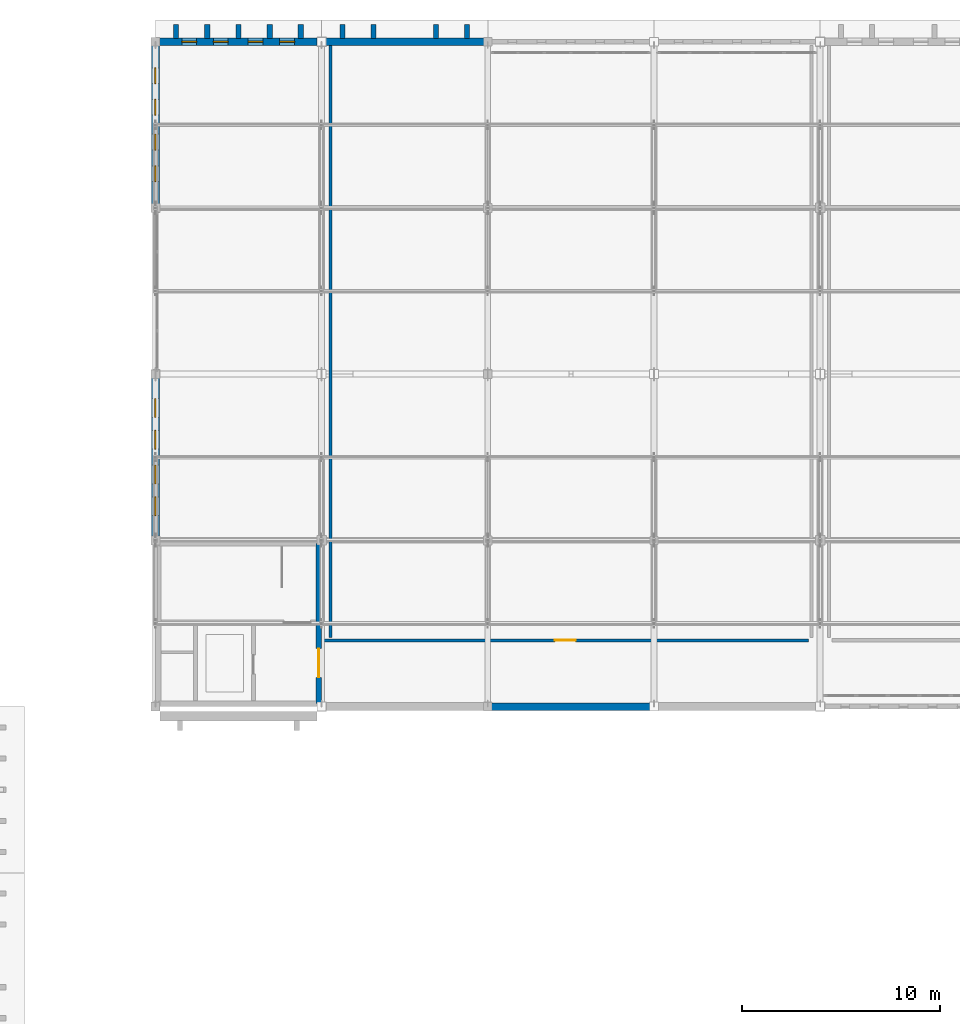
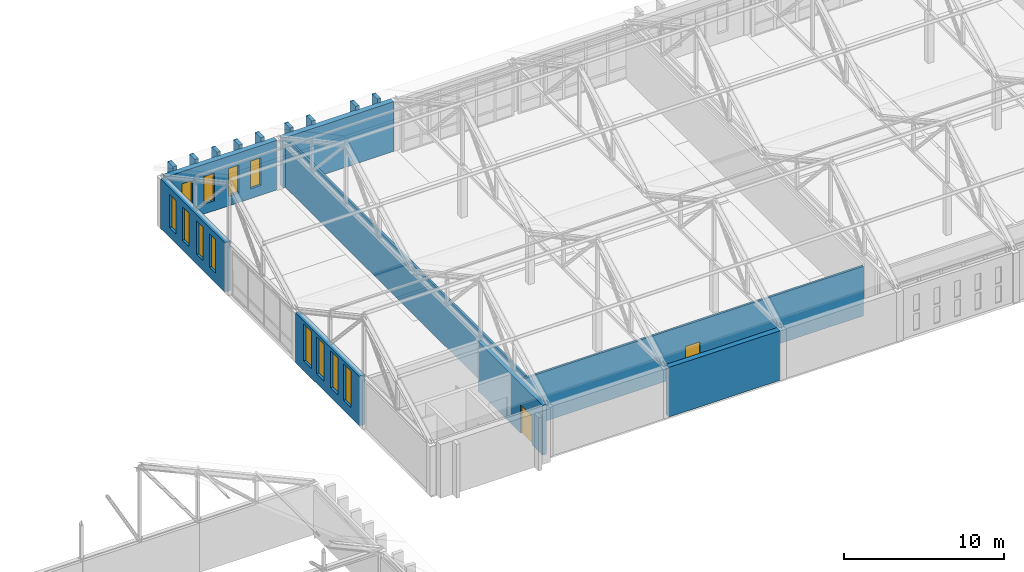
# One storey, part 89 of 110: 17 walls, 12 windows, 2 doors, 14 openings.
"""IFC4 building model written with IfcOpenShell, lengths in metres."""

from ifc_helpers import new_model, si_unit, direction, frame, frame_2d, origin, place, context, subcontext, project, spatial, rectangle, extrude, material, layer, layer_set, type_object, element, fill, save


model = new_model("IFC4")

# Units and contexts
model_context = context("Model", 3, precision=1e-05, world=origin(), true_north=direction((0.0, 1.0)))
body_context = subcontext(model_context, "Body", "Model", "MODEL_VIEW")
ifc_project = project(units=[si_unit("LENGTHUNIT", "METRE"), si_unit("AREAUNIT", "SQUARE_METRE"), si_unit("VOLUMEUNIT", "CUBIC_METRE"), si_unit("PLANEANGLEUNIT", "RADIAN"), si_unit("MASSUNIT", "GRAM", prefix="KILO")], contexts=[model_context])

# Site, building, storey
site_placement = place(None, origin())
site = spatial("IfcSite", under=ifc_project, at=site_placement, CompositionType="ELEMENT")
building_placement = place(site_placement, origin())
building = spatial("IfcBuilding", under=site, at=building_placement, Name="Kveldsbrygga Polytechnic", CompositionType="ELEMENT")
storey_placement = place(building_placement, frame((0.0, 0.0, 9.860107421875)))
storey = spatial("IfcBuildingStorey", under=building, at=storey_placement, Name="L02", CompositionType="ELEMENT", Elevation=9.860107421875)

# Wall, openings, windows
ifc_material_1 = material(Name="Fired clay brick masonry M10", Category="masonry")
ifc_layer_1 = layer(ifc_material_1, 0.3798828125)
ifc_layer_set_1 = layer_set([ifc_layer_1], Name="Fired clay brick masonry M10")
wall_type_1 = type_object("IfcWallType", Name="EW-BRICK-380", PredefinedType="SOLIDWALL", material=ifc_layer_set_1)
wall_1_placement = place(storey_placement, frame((42.195068359375, 117.60009765625, 0.0), z_axis=(0.0, 0.0, 1.0), x_axis=(1.0, 0.0, 0.0)))
wall_1 = element("IfcWall", 1, at=wall_1_placement, inside=storey, type_object=wall_type_1, Name="Exterior Brick Wall EW-L02-X-05-14", PredefinedType="SOLIDWALL", context=body_context, shape_type="SweptSolid", body=[
    extrude(rectangle(XDim=7.97998046875, YDim=0.3798828125, at=frame_2d((3.989990234375, 0.0))), origin(), (0.0, 0.0, 1.0), 3.77978515625),
])
opening_1_placement = place(wall_1_placement, frame((1.14111328125, 0.0, 0.75)))
opening_1 = element("IfcOpeningElement", 2, at=opening_1_placement, cuts=wall_1, Name="Opening W-27", PredefinedType="OPENING", context=body_context, shape_type="SweptSolid", body=[
    extrude(rectangle(XDim=0.75, YDim=2.10009765625, at=frame_2d((0.375, 1.050048828125))), frame((0.0, 0.199951171875, 0.0), z_axis=(0.0, -1.0, 0.0), x_axis=(1.0, 0.0, 0.0)), (0.0, 0.0, 1.0), 0.39990234375),
])
opening_2_placement = place(wall_1_placement, frame((2.7373046875, 0.0, 0.75)))
opening_2 = element("IfcOpeningElement", 3, at=opening_2_placement, cuts=wall_1, Name="Opening W-27", PredefinedType="OPENING", context=body_context, shape_type="SweptSolid", body=[
    extrude(rectangle(XDim=0.75, YDim=2.10009765625, at=frame_2d((0.375, 1.050048828125))), frame((0.0, 0.199951171875, 0.0), z_axis=(0.0, -1.0, 0.0), x_axis=(1.0, 0.0, 0.0)), (0.0, 0.0, 1.0), 0.39990234375),
])
opening_3_placement = place(wall_1_placement, frame((4.492919921875, 0.0, 0.75)))
opening_3 = element("IfcOpeningElement", 4, at=opening_3_placement, cuts=wall_1, Name="Opening W-27", PredefinedType="OPENING", context=body_context, shape_type="SweptSolid", body=[
    extrude(rectangle(XDim=0.75, YDim=2.10009765625, at=frame_2d((0.375, 1.050048828125))), frame((0.0, 0.199951171875, 0.0), z_axis=(0.0, -1.0, 0.0), x_axis=(1.0, 0.0, 0.0)), (0.0, 0.0, 1.0), 0.39990234375),
])
opening_4_placement = place(wall_1_placement, frame((6.0888671875, 0.0, 0.75)))
opening_4 = element("IfcOpeningElement", 5, at=opening_4_placement, cuts=wall_1, Name="Opening W-27", PredefinedType="OPENING", context=body_context, shape_type="SweptSolid", body=[
    extrude(rectangle(XDim=0.75, YDim=2.10009765625, at=frame_2d((0.375, 1.050048828125))), frame((0.0, 0.199951171875, 0.0), z_axis=(0.0, -1.0, 0.0), x_axis=(1.0, 0.0, 0.0)), (0.0, 0.0, 1.0), 0.39990234375),
])
ifc_material_2 = material(Name="Insulated triple low-E glass", Category="glass")
window_type_1 = type_object("IfcWindowType", Name="WN-ATTIC-075x210", PartitioningType="DOUBLE_PANEL_VERTICAL", PredefinedType="WINDOW", material=ifc_material_2)
window_1_placement = place(opening_1_placement, origin())
window_1 = element("IfcWindow", 6, at=window_1_placement, inside=storey, type_object=window_type_1, Name="Gothic Lancet Window WIN-L02-X-05-14-1", OverallHeight=2.10009765625, OverallWidth=0.75, PartitioningType="DOUBLE_PANEL_VERTICAL", PredefinedType="WINDOW", context=body_context, shape_type="SweptSolid", body=[
    extrude(rectangle(XDim=0.75, YDim=2.10009765625, at=frame_2d((0.375, 1.050048828125))), frame((0.0, 0.030029296875, 0.0), z_axis=(0.0, -1.0, 0.0), x_axis=(1.0, 0.0, 0.0)), (0.0, 0.0, 1.0), 0.06005859375),
])
fill(opening_1, window_1)
window_2_placement = place(opening_2_placement, origin())
window_2 = element("IfcWindow", 7, at=window_2_placement, inside=storey, type_object=window_type_1, Name="Gothic Lancet Window WIN-L02-X-05-14-2", OverallHeight=2.10009765625, OverallWidth=0.75, PartitioningType="DOUBLE_PANEL_VERTICAL", PredefinedType="WINDOW", context=body_context, shape_type="SweptSolid", body=[
    extrude(rectangle(XDim=0.75, YDim=2.10009765625, at=frame_2d((0.375, 1.050048828125))), frame((0.0, 0.030029296875, 0.0), z_axis=(0.0, -1.0, 0.0), x_axis=(1.0, 0.0, 0.0)), (0.0, 0.0, 1.0), 0.06005859375),
])
fill(opening_2, window_2)
window_3_placement = place(opening_3_placement, origin())
window_3 = element("IfcWindow", 8, at=window_3_placement, inside=storey, type_object=window_type_1, Name="Gothic Lancet Window WIN-L02-X-05-14-3", OverallHeight=2.10009765625, OverallWidth=0.75, PartitioningType="DOUBLE_PANEL_VERTICAL", PredefinedType="WINDOW", context=body_context, shape_type="SweptSolid", body=[
    extrude(rectangle(XDim=0.75, YDim=2.10009765625, at=frame_2d((0.375, 1.050048828125))), frame((0.0, 0.030029296875, 0.0), z_axis=(0.0, -1.0, 0.0), x_axis=(1.0, 0.0, 0.0)), (0.0, 0.0, 1.0), 0.06005859375),
])
fill(opening_3, window_3)
window_4_placement = place(opening_4_placement, origin())
window_4 = element("IfcWindow", 9, at=window_4_placement, inside=storey, type_object=window_type_1, Name="Gothic Lancet Window WIN-L02-X-05-14-4", OverallHeight=2.10009765625, OverallWidth=0.75, PartitioningType="DOUBLE_PANEL_VERTICAL", PredefinedType="WINDOW", context=body_context, shape_type="SweptSolid", body=[
    extrude(rectangle(XDim=0.75, YDim=2.10009765625, at=frame_2d((0.375, 1.050048828125))), frame((0.0, 0.030029296875, 0.0), z_axis=(0.0, -1.0, 0.0), x_axis=(1.0, 0.0, 0.0)), (0.0, 0.0, 1.0), 0.06005859375),
])
fill(opening_4, window_4)

# Wall
wall_2_placement = place(storey_placement, frame((58.9951171875, 84.0, 0.0), z_axis=(0.0, 0.0, 1.0), x_axis=(1.0, 0.0, 0.0)))
element("IfcWall", 10, at=wall_2_placement, inside=storey, type_object=wall_type_1, Name="Exterior Brick Wall EW-L02-X-07-10", PredefinedType="SOLIDWALL", context=body_context, shape_type="SweptSolid", body=[
    extrude(rectangle(XDim=7.994873046875, YDim=0.3798828125, at=frame_2d((3.99755859375, 0.0))), origin(), (0.0, 0.0, 1.0), 3.77978515625),
])

# Wall, openings, windows
ifc_layer_2 = layer(ifc_material_1, 0.39990234375)
ifc_layer_set_2 = layer_set([ifc_layer_2], Name="Fired clay brick masonry M10")
wall_type_2 = type_object("IfcWallType", Name="EW-BRICK-400", PredefinedType="SOLIDWALL", material=ifc_layer_set_2)
wall_3_placement = place(storey_placement, frame((42.0, 92.610107421875, 0.0), z_axis=(0.0, 0.0, 1.0), x_axis=(0.0, 1.0, 0.0)))
wall_3 = element("IfcWall", 11, at=wall_3_placement, inside=storey, type_object=wall_type_2, Name="Exterior Brick Wall EW-L02-Y-05-11", PredefinedType="SOLIDWALL", context=body_context, shape_type="SweptSolid", body=[
    extrude(rectangle(XDim=7.994873046875, YDim=0.39990234375, at=frame_2d((3.99755859375, 0.0))), origin(), (0.0, 0.0, 1.0), 3.77978515625),
])
opening_5_placement = place(wall_3_placement, frame((1.0439453125, 0.0, 0.75)))
opening_5 = element("IfcOpeningElement", 12, at=opening_5_placement, cuts=wall_3, Name="Opening W-46", PredefinedType="OPENING", context=body_context, shape_type="SweptSolid", body=[
    extrude(rectangle(XDim=0.949951171875, YDim=2.800048828125, at=frame_2d((0.47509765625, 1.39990234375))), frame((0.0, 0.2099609375, 0.0), z_axis=(0.0, -1.0, 0.0), x_axis=(1.0, 0.0, 0.0)), (0.0, 0.0, 1.0), 0.419921875),
])
opening_6_placement = place(wall_3_placement, frame((2.64306640625, 0.0, 0.75)))
opening_6 = element("IfcOpeningElement", 13, at=opening_6_placement, cuts=wall_3, Name="Opening W-46", PredefinedType="OPENING", context=body_context, shape_type="SweptSolid", body=[
    extrude(rectangle(XDim=0.949951171875, YDim=2.800048828125, at=frame_2d((0.47509765625, 1.39990234375))), frame((0.0, 0.2099609375, 0.0), z_axis=(0.0, -1.0, 0.0), x_axis=(1.0, 0.0, 0.0)), (0.0, 0.0, 1.0), 0.419921875),
])
opening_7_placement = place(wall_3_placement, frame((4.40185546875, 0.0, 0.75)))
opening_7 = element("IfcOpeningElement", 14, at=opening_7_placement, cuts=wall_3, Name="Opening W-46", PredefinedType="OPENING", context=body_context, shape_type="SweptSolid", body=[
    extrude(rectangle(XDim=0.949951171875, YDim=2.800048828125, at=frame_2d((0.47509765625, 1.39990234375))), frame((0.0, 0.2099609375, 0.0), z_axis=(0.0, -1.0, 0.0), x_axis=(1.0, 0.0, 0.0)), (0.0, 0.0, 1.0), 0.419921875),
])
opening_8_placement = place(wall_3_placement, frame((6.0009765625, 0.0, 0.75)))
opening_8 = element("IfcOpeningElement", 15, at=opening_8_placement, cuts=wall_3, Name="Opening W-46", PredefinedType="OPENING", context=body_context, shape_type="SweptSolid", body=[
    extrude(rectangle(XDim=0.949951171875, YDim=2.800048828125, at=frame_2d((0.47509765625, 1.39990234375))), frame((0.0, 0.2099609375, 0.0), z_axis=(0.0, -1.0, 0.0), x_axis=(1.0, 0.0, 0.0)), (0.0, 0.0, 1.0), 0.419921875),
])
window_type_2 = type_object("IfcWindowType", Name="WN-LANC-095x280", PartitioningType="DOUBLE_PANEL_VERTICAL", PredefinedType="WINDOW", material=ifc_material_2)
window_5_placement = place(opening_5_placement, origin())
window_5 = element("IfcWindow", 16, at=window_5_placement, inside=storey, type_object=window_type_2, Name="Gothic Lancet Window WIN-L02-Y-05-11-1", OverallHeight=2.800048828125, OverallWidth=0.949951171875, PartitioningType="DOUBLE_PANEL_VERTICAL", PredefinedType="WINDOW", context=body_context, shape_type="SweptSolid", body=[
    extrude(rectangle(XDim=0.949951171875, YDim=2.800048828125, at=frame_2d((0.47509765625, 1.39990234375))), frame((0.0, 0.030029296875, 0.0), z_axis=(0.0, -1.0, 0.0), x_axis=(1.0, 0.0, 0.0)), (0.0, 0.0, 1.0), 0.06005859375),
])
fill(opening_5, window_5)
window_6_placement = place(opening_6_placement, origin())
window_6 = element("IfcWindow", 17, at=window_6_placement, inside=storey, type_object=window_type_2, Name="Gothic Lancet Window WIN-L02-Y-05-11-2", OverallHeight=2.800048828125, OverallWidth=0.949951171875, PartitioningType="DOUBLE_PANEL_VERTICAL", PredefinedType="WINDOW", context=body_context, shape_type="SweptSolid", body=[
    extrude(rectangle(XDim=0.949951171875, YDim=2.800048828125, at=frame_2d((0.47509765625, 1.39990234375))), frame((0.0, 0.030029296875, 0.0), z_axis=(0.0, -1.0, 0.0), x_axis=(1.0, 0.0, 0.0)), (0.0, 0.0, 1.0), 0.06005859375),
])
fill(opening_6, window_6)
window_7_placement = place(opening_7_placement, origin())
window_7 = element("IfcWindow", 18, at=window_7_placement, inside=storey, type_object=window_type_2, Name="Gothic Lancet Window WIN-L02-Y-05-11-3", OverallHeight=2.800048828125, OverallWidth=0.949951171875, PartitioningType="DOUBLE_PANEL_VERTICAL", PredefinedType="WINDOW", context=body_context, shape_type="SweptSolid", body=[
    extrude(rectangle(XDim=0.949951171875, YDim=2.800048828125, at=frame_2d((0.47509765625, 1.39990234375))), frame((0.0, 0.030029296875, 0.0), z_axis=(0.0, -1.0, 0.0), x_axis=(1.0, 0.0, 0.0)), (0.0, 0.0, 1.0), 0.06005859375),
])
fill(opening_7, window_7)
window_8_placement = place(opening_8_placement, origin())
window_8 = element("IfcWindow", 19, at=window_8_placement, inside=storey, type_object=window_type_2, Name="Gothic Lancet Window WIN-L02-Y-05-11-4", OverallHeight=2.800048828125, OverallWidth=0.949951171875, PartitioningType="DOUBLE_PANEL_VERTICAL", PredefinedType="WINDOW", context=body_context, shape_type="SweptSolid", body=[
    extrude(rectangle(XDim=0.949951171875, YDim=2.800048828125, at=frame_2d((0.47509765625, 1.39990234375))), frame((0.0, 0.030029296875, 0.0), z_axis=(0.0, -1.0, 0.0), x_axis=(1.0, 0.0, 0.0)), (0.0, 0.0, 1.0), 0.06005859375),
])
fill(opening_8, window_8)

wall_4_placement = place(storey_placement, frame((42.0, 109.409912109375, 0.0), z_axis=(0.0, 0.0, 1.0), x_axis=(0.0, 1.0, 0.0)))
wall_4 = element("IfcWall", 20, at=wall_4_placement, inside=storey, type_object=wall_type_2, Name="Exterior Brick Wall EW-L02-Y-05-13", PredefinedType="SOLIDWALL", context=body_context, shape_type="SweptSolid", body=[
    extrude(rectangle(XDim=7.9951171875, YDim=0.39990234375, at=frame_2d((3.99755859375, 0.0))), origin(), (0.0, 0.0, 1.0), 3.77978515625),
])
opening_9_placement = place(wall_4_placement, frame((1.119140625, 0.0, 0.75)))
opening_9 = element("IfcOpeningElement", 21, at=opening_9_placement, cuts=wall_4, Name="Opening W-10", PredefinedType="OPENING", context=body_context, shape_type="SweptSolid", body=[
    extrude(rectangle(XDim=0.800048828125, YDim=2.550048828125, at=frame_2d((0.39990234375, 1.27490234375))), frame((0.0, 0.2099609375, 0.0), z_axis=(0.0, -1.0, 0.0), x_axis=(1.0, 0.0, 0.0)), (0.0, 0.0, 1.0), 0.419921875),
])
opening_10_placement = place(wall_4_placement, frame((2.718017578125, 0.0, 0.75)))
opening_10 = element("IfcOpeningElement", 22, at=opening_10_placement, cuts=wall_4, Name="Opening W-10", PredefinedType="OPENING", context=body_context, shape_type="SweptSolid", body=[
    extrude(rectangle(XDim=0.800048828125, YDim=2.550048828125, at=frame_2d((0.39990234375, 1.27490234375))), frame((0.0, 0.2099609375, 0.0), z_axis=(0.0, -1.0, 0.0), x_axis=(1.0, 0.0, 0.0)), (0.0, 0.0, 1.0), 0.419921875),
])
opening_11_placement = place(wall_4_placement, frame((4.47705078125, 0.0, 0.75)))
opening_11 = element("IfcOpeningElement", 23, at=opening_11_placement, cuts=wall_4, Name="Opening W-10", PredefinedType="OPENING", context=body_context, shape_type="SweptSolid", body=[
    extrude(rectangle(XDim=0.800048828125, YDim=2.550048828125, at=frame_2d((0.39990234375, 1.27490234375))), frame((0.0, 0.2099609375, 0.0), z_axis=(0.0, -1.0, 0.0), x_axis=(1.0, 0.0, 0.0)), (0.0, 0.0, 1.0), 0.419921875),
])
opening_12_placement = place(wall_4_placement, frame((6.075927734375, 0.0, 0.75)))
opening_12 = element("IfcOpeningElement", 24, at=opening_12_placement, cuts=wall_4, Name="Opening W-10", PredefinedType="OPENING", context=body_context, shape_type="SweptSolid", body=[
    extrude(rectangle(XDim=0.800048828125, YDim=2.550048828125, at=frame_2d((0.39990234375, 1.27490234375))), frame((0.0, 0.2099609375, 0.0), z_axis=(0.0, -1.0, 0.0), x_axis=(1.0, 0.0, 0.0)), (0.0, 0.0, 1.0), 0.419921875),
])
window_type_3 = type_object("IfcWindowType", Name="WN-LANC-080x255", PartitioningType="DOUBLE_PANEL_VERTICAL", PredefinedType="WINDOW", material=ifc_material_2)
window_9_placement = place(opening_9_placement, origin())
window_9 = element("IfcWindow", 25, at=window_9_placement, inside=storey, type_object=window_type_3, Name="Gothic Lancet Window WIN-L02-Y-05-13-1", OverallHeight=2.550048828125, OverallWidth=0.800048828125, PartitioningType="DOUBLE_PANEL_VERTICAL", PredefinedType="WINDOW", context=body_context, shape_type="SweptSolid", body=[
    extrude(rectangle(XDim=0.800048828125, YDim=2.550048828125, at=frame_2d((0.39990234375, 1.27490234375))), frame((0.0, 0.030029296875, 0.0), z_axis=(0.0, -1.0, 0.0), x_axis=(1.0, 0.0, 0.0)), (0.0, 0.0, 1.0), 0.06005859375),
])
fill(opening_9, window_9)
window_10_placement = place(opening_10_placement, origin())
window_10 = element("IfcWindow", 26, at=window_10_placement, inside=storey, type_object=window_type_3, Name="Gothic Lancet Window WIN-L02-Y-05-13-2", OverallHeight=2.550048828125, OverallWidth=0.800048828125, PartitioningType="DOUBLE_PANEL_VERTICAL", PredefinedType="WINDOW", context=body_context, shape_type="SweptSolid", body=[
    extrude(rectangle(XDim=0.800048828125, YDim=2.550048828125, at=frame_2d((0.39990234375, 1.27490234375))), frame((0.0, 0.030029296875, 0.0), z_axis=(0.0, -1.0, 0.0), x_axis=(1.0, 0.0, 0.0)), (0.0, 0.0, 1.0), 0.06005859375),
])
fill(opening_10, window_10)
window_11_placement = place(opening_11_placement, origin())
window_11 = element("IfcWindow", 27, at=window_11_placement, inside=storey, type_object=window_type_3, Name="Gothic Lancet Window WIN-L02-Y-05-13-3", OverallHeight=2.550048828125, OverallWidth=0.800048828125, PartitioningType="DOUBLE_PANEL_VERTICAL", PredefinedType="WINDOW", context=body_context, shape_type="SweptSolid", body=[
    extrude(rectangle(XDim=0.800048828125, YDim=2.550048828125, at=frame_2d((0.39990234375, 1.27490234375))), frame((0.0, 0.030029296875, 0.0), z_axis=(0.0, -1.0, 0.0), x_axis=(1.0, 0.0, 0.0)), (0.0, 0.0, 1.0), 0.06005859375),
])
fill(opening_11, window_11)
window_12_placement = place(opening_12_placement, origin())
window_12 = element("IfcWindow", 28, at=window_12_placement, inside=storey, type_object=window_type_3, Name="Gothic Lancet Window WIN-L02-Y-05-13-4", OverallHeight=2.550048828125, OverallWidth=0.800048828125, PartitioningType="DOUBLE_PANEL_VERTICAL", PredefinedType="WINDOW", context=body_context, shape_type="SweptSolid", body=[
    extrude(rectangle(XDim=0.800048828125, YDim=2.550048828125, at=frame_2d((0.39990234375, 1.27490234375))), frame((0.0, 0.030029296875, 0.0), z_axis=(0.0, -1.0, 0.0), x_axis=(1.0, 0.0, 0.0)), (0.0, 0.0, 1.0), 0.06005859375),
])
fill(opening_12, window_12)

# Walls
wall_5_placement = place(storey_placement, frame((50.625, 117.60009765625, 0.0), z_axis=(0.0, 0.0, 1.0), x_axis=(1.0, 0.0, 0.0)))
element("IfcWall", 29, at=wall_5_placement, inside=storey, type_object=wall_type_2, Name="Exterior Brick Wall EW-L02-X-06-14", PredefinedType="SOLIDWALL", context=body_context, shape_type="SweptSolid", body=[
    extrude(rectangle(XDim=7.97998046875, YDim=0.39990234375, at=frame_2d((3.989990234375, 0.0))), origin(), (0.0, 0.0, 1.0), 3.77978515625),
])
ifc_layer_3 = layer(ifc_material_1, 0.260009765625)
ifc_layer_set_3 = layer_set([ifc_layer_3], Name="Fired clay brick masonry M10")
wall_type_3 = type_object("IfcWallType", Name="EW-BUTT-260", PredefinedType="SOLIDWALL", material=ifc_layer_set_3)
for number, where, z_axis, x_axis, name in (
    (30, (43.050048828125, 117.764892578125, 0.0), (0.0, 0.0, 1.0), (0.0, 1.0, 0.0), "Gothic Brick Buttress Pier BUTT-L02-X-05-14-1"),
    (31, (44.6201171875, 117.764892578125, 0.0), (0.0, 0.0, 1.0), (0.0, 1.0, 0.0), "Gothic Brick Buttress Pier BUTT-L02-X-05-14-2"),
    (32, (46.199951171875, 117.764892578125, 0.0), (0.0, 0.0, 1.0), (0.0, 1.0, 0.0), "Gothic Brick Buttress Pier BUTT-L02-X-05-14-3"),
    (33, (47.780029296875, 117.764892578125, 0.0), (0.0, 0.0, 1.0), (0.0, 1.0, 0.0), "Gothic Brick Buttress Pier BUTT-L02-X-05-14-4"),
    (34, (49.35009765625, 117.764892578125, 0.0), (0.0, 0.0, 1.0), (0.0, 1.0, 0.0), "Gothic Brick Buttress Pier BUTT-L02-X-05-14-5"),
    (35, (51.449951171875, 117.764892578125, 0.0), (0.0, 0.0, 1.0), (0.0, 1.0, 0.0), "Gothic Brick Buttress Pier BUTT-L02-X-06-14-1"),
    (36, (53.02001953125, 117.764892578125, 0.0), (0.0, 0.0, 1.0), (0.0, 1.0, 0.0), "Gothic Brick Buttress Pier BUTT-L02-X-06-14-2"),
    (37, (56.179931640625, 117.764892578125, 0.0), (0.0, 0.0, 1.0), (0.0, 1.0, 0.0), "Gothic Brick Buttress Pier BUTT-L02-X-06-14-4"),
    (38, (57.75, 117.764892578125, 0.0), (0.0, 0.0, 1.0), (0.0, 1.0, 0.0), "Gothic Brick Buttress Pier BUTT-L02-X-06-14-5"),
):
    element("IfcWall", number, at=place(storey_placement, frame(where, z_axis=z_axis, x_axis=x_axis)), inside=storey, type_object=wall_type_3, Name=name, PredefinedType="SOLIDWALL", context=body_context, shape_type="SweptSolid", body=[
        extrude(rectangle(XDim=0.7001953125, YDim=0.260009765625, at=frame_2d((0.35009765625, 0.0))), origin(), (0.0, 0.0, 1.0), 4.079833984375),
    ])

# Wall, opening, door
ifc_material_3 = material(Name="Gypsum acoustic stud partition")
ifc_layer_4 = layer(ifc_material_3, 0.14990234375)
ifc_layer_set_4 = layer_set([ifc_layer_4], Name="Gypsum acoustic stud partition")
wall_type_4 = type_object("IfcWallType", Name="IW-SEM-150", PredefinedType="PARTITIONING", material=ifc_layer_set_4)
wall_6_placement = place(storey_placement, frame((50.429931640625, 87.35009765625, 0.0), z_axis=(0.0, 0.0, 1.0), x_axis=(1.0, 0.0, 0.0)))
wall_6 = element("IfcWall", 39, at=wall_6_placement, inside=storey, type_object=wall_type_4, Name="Partition Wall IW-SP-L02-SEM21-S1", PredefinedType="PARTITIONING", context=body_context, shape_type="SweptSolid", body=[
    extrude(rectangle(XDim=24.570068359375, YDim=0.14990234375, at=frame_2d((12.28515625, 0.0))), origin(), (0.0, 0.0, 1.0), 3.77978515625),
])
opening_13_placement = place(wall_6_placement, frame((11.760009765625, 0.0, 0.0)))
opening_13 = element("IfcOpeningElement", 40, at=opening_13_placement, cuts=wall_6, Name="Opening ID-L02-060", PredefinedType="OPENING", context=body_context, shape_type="SweptSolid", body=[
    extrude(rectangle(XDim=1.050048828125, YDim=2.14990234375, at=frame_2d((0.52490234375, 1.074951171875))), frame((0.0, 0.0849609375, 0.0), z_axis=(0.0, -1.0, 0.0), x_axis=(1.0, 0.0, 0.0)), (0.0, 0.0, 1.0), 0.169921875),
])
ifc_material_4 = material(Name="Acoustic oak timber", Category="wood")
door_type_1 = type_object("IfcDoorType", Name="ID-SEM-105x215", OperationType="NOTDEFINED", PredefinedType="DOOR", material=ifc_material_4)
door_1_placement = place(opening_13_placement, origin())
door_1 = element("IfcDoor", 41, at=door_1_placement, inside=storey, type_object=door_type_1, Name="Interior Door ID-L02-060", OperationType="SINGLE_SWING_RIGHT", OverallHeight=2.14990234375, OverallWidth=1.050048828125, PredefinedType="DOOR", context=body_context, shape_type="SweptSolid", body=[
    extrude(rectangle(XDim=1.050048828125, YDim=2.14990234375, at=frame_2d((0.52490234375, 1.074951171875))), frame((0.0, 0.02490234375, 0.0), z_axis=(0.0, -1.0, 0.0), x_axis=(1.0, 0.0, 0.0)), (0.0, 0.0, 1.0), 0.050048828125),
])
fill(opening_13, door_1)

# Wall
wall_7_placement = place(storey_placement, frame((50.85009765625, 87.5, 0.0), z_axis=(0.0, 0.0, 1.0), x_axis=(0.0, 1.0, 0.0)))
element("IfcWall", 42, at=wall_7_placement, inside=storey, type_object=wall_type_4, Name="Partition Wall IW-SP-L02-SEM21-W1", PredefinedType="PARTITIONING", context=body_context, shape_type="SweptSolid", body=[
    extrude(rectangle(XDim=29.919921875, YDim=0.14990234375, at=frame_2d((14.9599609375, 0.0))), origin(), (0.0, 0.0, 1.0), 3.77978515625),
])

# Wall, opening, door
ifc_material_5 = material(Name="Concrete C45/55", Category="concrete")
ifc_layer_5 = layer(ifc_material_5, 0.280029296875)
ifc_layer_set_5 = layer_set([ifc_layer_5], Name="Concrete C45/55")
wall_type_5 = type_object("IfcWallType", Name="WL-CORE-280", PredefinedType="SHEAR", material=ifc_layer_set_5)
wall_8_placement = place(storey_placement, frame((50.25, 84.14990234375, 0.0), z_axis=(0.0, 0.0, 1.0), x_axis=(0.0, 1.0, 0.0)))
wall_8 = element("IfcWall", 43, at=wall_8_placement, inside=storey, type_object=wall_type_5, Name="Core C7 Shear Wall C7-L02-SW-E", PredefinedType="SHEAR", context=body_context, shape_type="SweptSolid", body=[
    extrude(rectangle(XDim=8.10009765625, YDim=0.280029296875, at=frame_2d((4.050048828125, 0.0))), origin(), (0.0, 0.0, 1.0), 3.77978515625),
])
opening_14_placement = place(wall_8_placement, frame((1.324951171875, 0.0, 0.0)))
opening_14 = element("IfcOpeningElement", 44, at=opening_14_placement, cuts=wall_8, Name="Opening FD-C7-L02-LOB", PredefinedType="OPENING", context=body_context, shape_type="SweptSolid", body=[
    extrude(rectangle(XDim=1.449951171875, YDim=2.14990234375, at=frame_2d((0.72509765625, 1.074951171875))), frame((0.0, 0.14990234375, 0.0), z_axis=(0.0, -1.0, 0.0), x_axis=(1.0, 0.0, 0.0)), (0.0, 0.0, 1.0), 0.300048828125),
])
ifc_material_6 = material(Name="Powder-coated galvanised steel", Category="steel")
door_type_2 = type_object("IfcDoorType", Name="ID-LOBBY-145x215", OperationType="DOUBLE_DOOR_SINGLE_SWING", PredefinedType="DOOR", material=ifc_material_6)
door_2_placement = place(opening_14_placement, origin())
door_2 = element("IfcDoor", 45, at=door_2_placement, inside=storey, type_object=door_type_2, Name="Core Lobby Fire Door FD-C7-L02-LOB", OperationType="DOUBLE_DOOR_SINGLE_SWING", OverallHeight=2.14990234375, OverallWidth=1.449951171875, PredefinedType="DOOR", context=body_context, shape_type="SweptSolid", body=[
    extrude(rectangle(XDim=1.449951171875, YDim=2.14990234375, at=frame_2d((0.72509765625, 1.074951171875))), frame((0.0, 0.02490234375, 0.0), z_axis=(0.0, -1.0, 0.0), x_axis=(1.0, 0.0, 0.0)), (0.0, 0.0, 1.0), 0.050048828125),
])
fill(opening_14, door_2)

save(model, "model.ifc")
